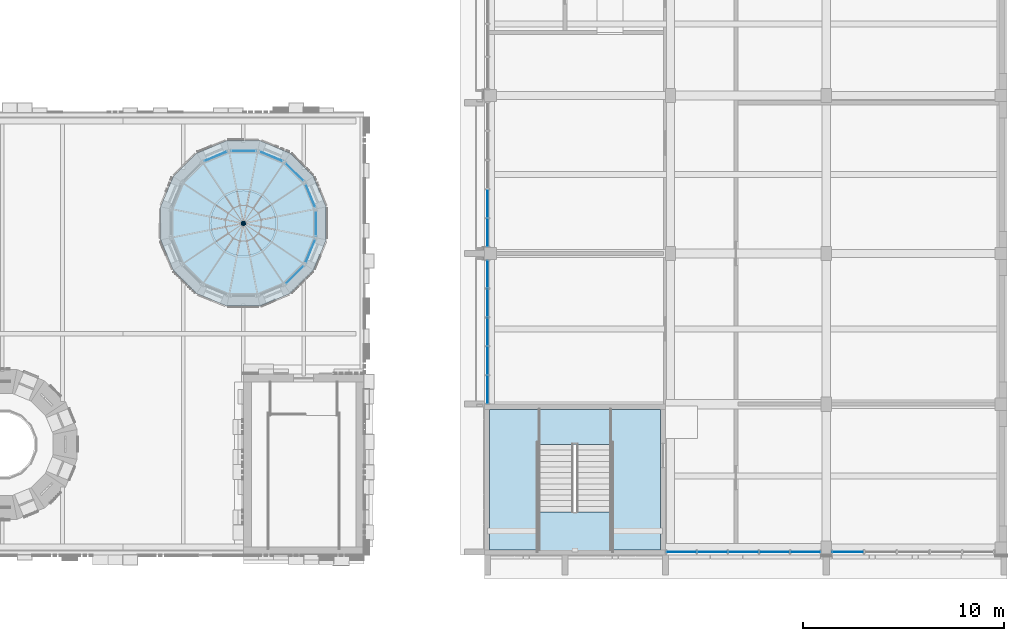
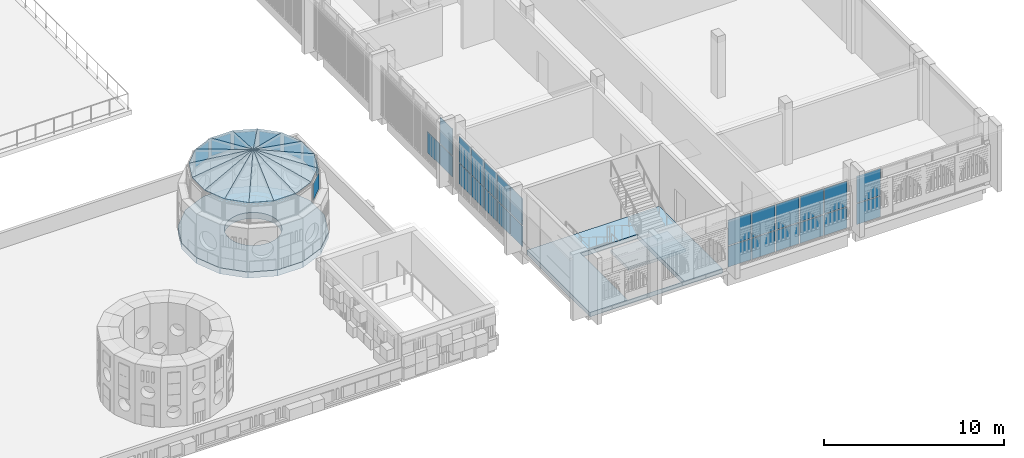
# One storey, part 46 of 98: 33 plates, 19 slabs, 13 elements without a shape of their own.
"""IFC4 building model written with IfcOpenShell, lengths in metres."""

from ifc_helpers import new_model, si_unit, direction, frame, origin, origin_2d, place, context, subcontext, project, spatial, polyline, rectangle, outline, extrude, material, layer, layer_set, type_object, element, aggregate, save


model = new_model("IFC4")

# Units and contexts
model_context = context("Model", 3, precision=1e-05, world=origin(), true_north=direction((0.0, 1.0)))
body_context = subcontext(model_context, "Body", "Model", "MODEL_VIEW")
ifc_project = project(units=[si_unit("LENGTHUNIT", "METRE"), si_unit("AREAUNIT", "SQUARE_METRE"), si_unit("VOLUMEUNIT", "CUBIC_METRE"), si_unit("PLANEANGLEUNIT", "RADIAN"), si_unit("MASSUNIT", "GRAM", prefix="KILO")], contexts=[model_context])

# Site, building, storey
site_placement = place(None, origin())
site = spatial("IfcSite", under=ifc_project, at=site_placement, CompositionType="ELEMENT")
building_placement = place(site_placement, origin())
building = spatial("IfcBuilding", under=site, at=building_placement, Name="Sun Court Science Centre", CompositionType="ELEMENT")
storey_placement = place(building_placement, frame((0.0, 0.0, 15.75)))
storey = spatial("IfcBuildingStorey", under=building, at=storey_placement, Name="L03", CompositionType="ELEMENT", Elevation=15.75)

# Curtain wall, plate
ifc_material_1 = material(Name="Aluminium EN AW-6063 T6", Category="aluminium")
curtain_wall_type_1 = type_object("IfcCurtainWallType", Name="Lantern clerestory curtain wall 1500", PredefinedType="NOTDEFINED", material=ifc_material_1)
curtain_wall_1_placement = place(storey_placement, origin())
curtain_wall_1 = element("IfcCurtainWall", 1, at=curtain_wall_1_placement, inside=storey, type_object=curtain_wall_type_1, Name="Curtain wall V2 C6 clerestory L03 01", PredefinedType="NOTDEFINED")
ifc_material_2 = material(Name="Insulated glass", Category="glass")
ifc_layer_1 = layer(ifc_material_2, 0.031982421875)
ifc_layer_set_1 = layer_set([ifc_layer_1], Name="Insulated glass")
plate_type_1 = type_object("IfcPlateType", Name="Foyer insulated glazing panel 8-16-8", PredefinedType="CURTAIN_PANEL", material=ifc_layer_set_1)
plate_1_placement = place(storey_placement, frame((69.3330078125, 23.880615234375, 3.099853515625), z_axis=(0.0, 0.0, 1.0), x_axis=(0.382683432365, -0.923879532511, 0.0)))
plate_1 = element("IfcPlate", 2, at=plate_1_placement, type_object=plate_type_1, Name="Smoke vent opening light CW4-81 panel 1", PredefinedType="CURTAIN_PANEL", context=body_context, shape_type="SweptSolid", body=[
    extrude(rectangle(XDim=1.220947265625, YDim=0.031982421875, at=origin_2d()), origin(), (0.0, 0.0, 1.0), 1.10009765625),
])
aggregate(curtain_wall_1, [plate_1])

curtain_wall_2_placement = place(storey_placement, origin())
curtain_wall_2 = element("IfcCurtainWall", 3, at=curtain_wall_2_placement, inside=storey, type_object=curtain_wall_type_1, Name="Curtain wall V2 C6 clerestory L03 02", PredefinedType="NOTDEFINED")
plate_2_placement = place(storey_placement, frame((68.551025390625, 25.051025390625, 3.099853515625), z_axis=(0.0, 0.0, 1.0), x_axis=(0.707106781187, -0.707106781187, 0.0)))
plate_2 = element("IfcPlate", 4, at=plate_2_placement, type_object=plate_type_1, Name="CW4-82 panel 1.1", PredefinedType="CURTAIN_PANEL", context=body_context, shape_type="SweptSolid", body=[
    extrude(rectangle(XDim=1.220947265625, YDim=0.031982421875, at=origin_2d()), origin(), (0.0, 0.0, 1.0), 1.10009765625),
])
aggregate(curtain_wall_2, [plate_2])

curtain_wall_3_placement = place(storey_placement, origin())
curtain_wall_3 = element("IfcCurtainWall", 5, at=curtain_wall_3_placement, inside=storey, type_object=curtain_wall_type_1, Name="Curtain wall V2 C6 clerestory L03 03", PredefinedType="NOTDEFINED")
plate_3_placement = place(storey_placement, frame((67.380615234375, 25.8330078125, 3.099853515625), z_axis=(0.0, 0.0, 1.0), x_axis=(0.923879532511, -0.382683432365, 0.0)))
plate_3 = element("IfcPlate", 6, at=plate_3_placement, type_object=plate_type_1, Name="Smoke vent opening light CW4-83 panel 1", PredefinedType="CURTAIN_PANEL", context=body_context, shape_type="SweptSolid", body=[
    extrude(rectangle(XDim=1.220947265625, YDim=0.031982421875, at=origin_2d()), origin(), (0.0, 0.0, 1.0), 1.10009765625),
])
aggregate(curtain_wall_3, [plate_3])

curtain_wall_4_placement = place(storey_placement, origin())
curtain_wall_4 = element("IfcCurtainWall", 7, at=curtain_wall_4_placement, inside=storey, type_object=curtain_wall_type_1, Name="Curtain wall V2 C6 clerestory L03 04", PredefinedType="NOTDEFINED")
plate_4_placement = place(storey_placement, frame((66.0, 26.107666015625, 3.099853515625), z_axis=(0.0, 0.0, 1.0), x_axis=(1.0, 0.0, 0.0)))
plate_4 = element("IfcPlate", 8, at=plate_4_placement, type_object=plate_type_1, Name="CW4-84 panel 1.1", PredefinedType="CURTAIN_PANEL", context=body_context, shape_type="SweptSolid", body=[
    extrude(rectangle(XDim=1.220947265625, YDim=0.031982421875, at=origin_2d()), origin(), (0.0, 0.0, 1.0), 1.10009765625),
])
aggregate(curtain_wall_4, [plate_4])

curtain_wall_5_placement = place(storey_placement, origin())
curtain_wall_5 = element("IfcCurtainWall", 9, at=curtain_wall_5_placement, inside=storey, type_object=curtain_wall_type_1, Name="Curtain wall V2 C6 clerestory L03 05", PredefinedType="NOTDEFINED")
plate_5_placement = place(storey_placement, frame((64.619384765625, 25.8330078125, 3.099853515625), z_axis=(0.0, 0.0, 1.0), x_axis=(0.923879532511, 0.382683432365, 0.0)))
plate_5 = element("IfcPlate", 10, at=plate_5_placement, type_object=plate_type_1, Name="Smoke vent opening light CW4-85 panel 1", PredefinedType="CURTAIN_PANEL", context=body_context, shape_type="SweptSolid", body=[
    extrude(rectangle(XDim=1.220947265625, YDim=0.031982421875, at=origin_2d()), origin(), (0.0, 0.0, 1.0), 1.10009765625),
])
aggregate(curtain_wall_5, [plate_5])

curtain_wall_6_placement = place(storey_placement, origin())
curtain_wall_6 = element("IfcCurtainWall", 11, at=curtain_wall_6_placement, inside=storey, type_object=curtain_wall_type_1, Name="Curtain wall V2 C6 clerestory L03 14", PredefinedType="NOTDEFINED")
plate_6_placement = place(storey_placement, frame((68.551025390625, 19.948974609375, 3.099853515625), z_axis=(0.0, 0.0, 1.0), x_axis=(-0.707106781187, -0.707106781187, 0.0)))
plate_6 = element("IfcPlate", 12, at=plate_6_placement, type_object=plate_type_1, Name="CW4-94 panel 1.1", PredefinedType="CURTAIN_PANEL", context=body_context, shape_type="SweptSolid", body=[
    extrude(rectangle(XDim=1.220947265625, YDim=0.031982421875, at=origin_2d()), origin(), (0.0, 0.0, 1.0), 1.10009765625),
])
aggregate(curtain_wall_6, [plate_6])

curtain_wall_7_placement = place(storey_placement, origin())
curtain_wall_7 = element("IfcCurtainWall", 13, at=curtain_wall_7_placement, inside=storey, type_object=curtain_wall_type_1, Name="Curtain wall V2 C6 clerestory L03 15", PredefinedType="NOTDEFINED")
plate_7_placement = place(storey_placement, frame((69.3330078125, 21.119384765625, 3.099853515625), z_axis=(0.0, 0.0, 1.0), x_axis=(-0.382683432365, -0.923879532511, 0.0)))
plate_7 = element("IfcPlate", 14, at=plate_7_placement, type_object=plate_type_1, Name="Smoke vent opening light CW4-95 panel 1", PredefinedType="CURTAIN_PANEL", context=body_context, shape_type="SweptSolid", body=[
    extrude(rectangle(XDim=1.220947265625, YDim=0.031982421875, at=origin_2d()), origin(), (0.0, 0.0, 1.0), 1.10009765625),
])
aggregate(curtain_wall_7, [plate_7])

curtain_wall_8_placement = place(storey_placement, origin())
curtain_wall_8 = element("IfcCurtainWall", 15, at=curtain_wall_8_placement, inside=storey, type_object=curtain_wall_type_1, Name="Curtain wall V2 C6 clerestory L03 16", PredefinedType="NOTDEFINED")
plate_8_placement = place(storey_placement, frame((69.607666015625, 22.5, 3.099853515625), z_axis=(0.0, 0.0, 1.0), x_axis=(0.0, -1.0, 0.0)))
plate_8 = element("IfcPlate", 16, at=plate_8_placement, type_object=plate_type_1, Name="CW4-96 panel 1.1", PredefinedType="CURTAIN_PANEL", context=body_context, shape_type="SweptSolid", body=[
    extrude(rectangle(XDim=1.220947265625, YDim=0.031982421875, at=origin_2d()), origin(), (0.0, 0.0, 1.0), 1.10009765625),
])
aggregate(curtain_wall_8, [plate_8])

# Slabs
ifc_material_3 = material(Name="Toughened safety glass", Category="glass")
ifc_layer_2 = layer(ifc_material_3, 0.06005859375)
ifc_layer_set_2 = layer_set([ifc_layer_2], Name="Toughened safety glass")
slab_type_1 = type_object("IfcSlabType", Name="Glazed lantern panel 60", PredefinedType="ROOF", material=ifc_layer_set_2)
slab_1_placement = place(storey_placement, frame((69.519287109375, 23.199951171875, 4.409423828125), z_axis=(0.27781112634, 0.11509917371, 0.953715449331), x_axis=(-0.382757337134, 0.92384891669, 0.0)))
element("IfcSlab", 17, at=slab_1_placement, inside=storey, type_object=slab_type_1, Name="Smoke vent opening light cone 6 panel 01", PredefinedType="ROOF", context=body_context, shape_type="SweptSolid", body=[
    extrude(outline(polyline([(0.0, 0.0), (1.400074198153089, 5.551115123125783e-17), (0.7003838307212055, 3.6899905864551856), (0.0, 0.0)])), origin(), (0.0, 0.0, -1.0), 0.06005859375),
])
slab_2_placement = place(storey_placement, frame((68.9833984375, 24.493408203125, 4.409423828125), z_axis=(0.212638176134, 0.212638176134, 0.95371379989), x_axis=(-0.707106781187, 0.707106781187, 0.0)))
element("IfcSlab", 18, at=slab_2_placement, inside=storey, type_object=slab_type_1, Name="Lantern glazing cone 6 panel 02", PredefinedType="ROOF", context=body_context, shape_type="SweptSolid", body=[
    extrude(outline(polyline([(0.0, 0.0), (1.4000576160700442, 0.0), (0.7000288080350219, 3.6899263957870376), (0.0, 0.0)])), origin(), (0.0, 0.0, -1.0), 0.06005859375),
])
slab_3_placement = place(storey_placement, frame((67.993408203125, 25.4833984375, 4.409423828125), z_axis=(0.11509917371, 0.27781112634, 0.953715449331), x_axis=(-0.92384891669, 0.382757337134, 0.0)))
element("IfcSlab", 19, at=slab_3_placement, inside=storey, type_object=slab_type_1, Name="Smoke vent opening light cone 6 panel 03", PredefinedType="ROOF", context=body_context, shape_type="SweptSolid", body=[
    extrude(outline(polyline([(0.0, 0.0), (1.400074198153089, -5.551115123125783e-17), (0.6996903674318837, 3.6899905864551856), (0.0, 0.0)])), origin(), (0.0, 0.0, -1.0), 0.06005859375),
])
slab_4_placement = place(storey_placement, frame((66.699951171875, 26.019287109375, 4.409423828125), z_axis=(0.0, 0.30070387127, 0.953717558716), x_axis=(-1.0, 0.0, 0.0)))
element("IfcSlab", 20, at=slab_4_placement, inside=storey, type_object=slab_type_1, Name="Lantern glazing cone 6 panel 04", PredefinedType="ROOF", context=body_context, shape_type="SweptSolid", body=[
    extrude(outline(polyline([(0.0, 0.0), (1.39990234375, 0.0), (0.699951171875, 3.690072681595094), (0.0, 0.0)])), origin(), (0.0, 0.0, -1.0), 0.06005859375),
])
slab_5_placement = place(storey_placement, frame((65.300048828125, 26.019287109375, 4.409423828125), z_axis=(-0.11509917371, 0.27781112634, 0.953715449331), x_axis=(-0.92384891669, -0.382757337134, 0.0)))
element("IfcSlab", 21, at=slab_5_placement, inside=storey, type_object=slab_type_1, Name="Smoke vent opening light cone 6 panel 05", PredefinedType="ROOF", context=body_context, shape_type="SweptSolid", body=[
    extrude(outline(polyline([(0.0, 0.0), (1.400074198153089, 5.551115123125783e-17), (0.7003838307212055, 3.6899905864551856), (0.0, 0.0)])), origin(), (0.0, 0.0, -1.0), 0.06005859375),
])
slab_6_placement = place(storey_placement, frame((64.006591796875, 25.4833984375, 4.409423828125), z_axis=(-0.212638176134, 0.212638176134, 0.95371379989), x_axis=(-0.707106781187, -0.707106781187, 0.0)))
element("IfcSlab", 22, at=slab_6_placement, inside=storey, type_object=slab_type_1, Name="Lantern glazing cone 6 panel 06", PredefinedType="ROOF", context=body_context, shape_type="SweptSolid", body=[
    extrude(outline(polyline([(0.0, 0.0), (1.4000576160700442, 0.0), (0.7000288080350219, 3.6899263957870376), (0.0, 0.0)])), origin(), (0.0, 0.0, -1.0), 0.06005859375),
])
slab_7_placement = place(storey_placement, frame((63.0166015625, 24.493408203125, 4.409423828125), z_axis=(-0.27781112634, 0.11509917371, 0.953715449331), x_axis=(-0.382757337134, -0.92384891669, 0.0)))
element("IfcSlab", 23, at=slab_7_placement, inside=storey, type_object=slab_type_1, Name="Smoke vent opening light cone 6 panel 07", PredefinedType="ROOF", context=body_context, shape_type="SweptSolid", body=[
    extrude(outline(polyline([(0.0, 0.0), (1.400074198153089, -5.551115123125783e-17), (0.6996903674318837, 3.6899905864551856), (0.0, 0.0)])), origin(), (0.0, 0.0, -1.0), 0.06005859375),
])
slab_8_placement = place(storey_placement, frame((62.480712890625, 23.199951171875, 4.409423828125), z_axis=(-0.30070387127, 0.0, 0.953717558716), x_axis=(0.0, -1.0, 0.0)))
element("IfcSlab", 24, at=slab_8_placement, inside=storey, type_object=slab_type_1, Name="Lantern glazing cone 6 panel 08", PredefinedType="ROOF", context=body_context, shape_type="SweptSolid", body=[
    extrude(outline(polyline([(0.0, 0.0), (1.39990234375, 0.0), (0.699951171875, 3.690072681595094), (0.0, 0.0)])), origin(), (0.0, 0.0, -1.0), 0.06005859375),
])
slab_9_placement = place(storey_placement, frame((62.480712890625, 21.800048828125, 4.409423828125), z_axis=(-0.27781112634, -0.11509917371, 0.953715449331), x_axis=(0.382757337134, -0.92384891669, 0.0)))
element("IfcSlab", 25, at=slab_9_placement, inside=storey, type_object=slab_type_1, Name="Smoke vent opening light cone 6 panel 09", PredefinedType="ROOF", context=body_context, shape_type="SweptSolid", body=[
    extrude(outline(polyline([(0.0, 0.0), (1.400074198153089, 5.551115123125783e-17), (0.7003838307212055, 3.6899905864551856), (0.0, 0.0)])), origin(), (0.0, 0.0, -1.0), 0.06005859375),
])
slab_10_placement = place(storey_placement, frame((63.0166015625, 20.506591796875, 4.409423828125), z_axis=(-0.212638176134, -0.212638176134, 0.95371379989), x_axis=(0.707106781187, -0.707106781187, 0.0)))
element("IfcSlab", 26, at=slab_10_placement, inside=storey, type_object=slab_type_1, Name="Lantern glazing cone 6 panel 10", PredefinedType="ROOF", context=body_context, shape_type="SweptSolid", body=[
    extrude(outline(polyline([(0.0, 0.0), (1.4000576160700442, 0.0), (0.7000288080350219, 3.6899263957870376), (0.0, 0.0)])), origin(), (0.0, 0.0, -1.0), 0.06005859375),
])
slab_11_placement = place(storey_placement, frame((64.006591796875, 19.5166015625, 4.409423828125), z_axis=(-0.11509917371, -0.27781112634, 0.953715449331), x_axis=(0.92384891669, -0.382757337134, 0.0)))
element("IfcSlab", 27, at=slab_11_placement, inside=storey, type_object=slab_type_1, Name="Smoke vent opening light cone 6 panel 11", PredefinedType="ROOF", context=body_context, shape_type="SweptSolid", body=[
    extrude(outline(polyline([(0.0, 0.0), (1.400074198153089, -5.551115123125783e-17), (0.6996903674318837, 3.6899905864551856), (0.0, 0.0)])), origin(), (0.0, 0.0, -1.0), 0.06005859375),
])
slab_12_placement = place(storey_placement, frame((65.300048828125, 18.980712890625, 4.409423828125), z_axis=(0.0, -0.30070387127, 0.953717558716), x_axis=(1.0, 0.0, 0.0)))
element("IfcSlab", 28, at=slab_12_placement, inside=storey, type_object=slab_type_1, Name="Lantern glazing cone 6 panel 12", PredefinedType="ROOF", context=body_context, shape_type="SweptSolid", body=[
    extrude(outline(polyline([(0.0, 0.0), (1.39990234375, 0.0), (0.699951171875, 3.690072681595094), (0.0, 0.0)])), origin(), (0.0, 0.0, -1.0), 0.06005859375),
])
slab_13_placement = place(storey_placement, frame((66.699951171875, 18.980712890625, 4.409423828125), z_axis=(0.11509917371, -0.27781112634, 0.953715449331), x_axis=(0.92384891669, 0.382757337134, 0.0)))
element("IfcSlab", 29, at=slab_13_placement, inside=storey, type_object=slab_type_1, Name="Smoke vent opening light cone 6 panel 13", PredefinedType="ROOF", context=body_context, shape_type="SweptSolid", body=[
    extrude(outline(polyline([(0.0, 0.0), (1.400074198153089, 5.551115123125783e-17), (0.7003838307212055, 3.6899905864551856), (0.0, 0.0)])), origin(), (0.0, 0.0, -1.0), 0.06005859375),
])
slab_14_placement = place(storey_placement, frame((67.993408203125, 19.5166015625, 4.409423828125), z_axis=(0.212638176134, -0.212638176134, 0.95371379989), x_axis=(0.707106781187, 0.707106781187, 0.0)))
element("IfcSlab", 30, at=slab_14_placement, inside=storey, type_object=slab_type_1, Name="Lantern glazing cone 6 panel 14", PredefinedType="ROOF", context=body_context, shape_type="SweptSolid", body=[
    extrude(outline(polyline([(0.0, 0.0), (1.4000576160700442, 0.0), (0.7000288080350219, 3.6899263957870376), (0.0, 0.0)])), origin(), (0.0, 0.0, -1.0), 0.06005859375),
])
slab_15_placement = place(storey_placement, frame((68.9833984375, 20.506591796875, 4.409423828125), z_axis=(0.27781112634, -0.11509917371, 0.953715449331), x_axis=(0.382757337134, 0.92384891669, 0.0)))
element("IfcSlab", 31, at=slab_15_placement, inside=storey, type_object=slab_type_1, Name="Smoke vent opening light cone 6 panel 15", PredefinedType="ROOF", context=body_context, shape_type="SweptSolid", body=[
    extrude(outline(polyline([(0.0, 0.0), (1.400074198153089, -5.551115123125783e-17), (0.6996903674318837, 3.6899905864551856), (0.0, 0.0)])), origin(), (0.0, 0.0, -1.0), 0.06005859375),
])
slab_16_placement = place(storey_placement, frame((69.519287109375, 21.800048828125, 4.409423828125), z_axis=(0.30070387127, 0.0, 0.953717558716), x_axis=(0.0, 1.0, 0.0)))
element("IfcSlab", 32, at=slab_16_placement, inside=storey, type_object=slab_type_1, Name="Lantern glazing cone 6 panel 16", PredefinedType="ROOF", context=body_context, shape_type="SweptSolid", body=[
    extrude(outline(polyline([(0.0, 0.0), (1.39990234375, 0.0), (0.699951171875, 3.690072681595094), (0.0, 0.0)])), origin(), (0.0, 0.0, -1.0), 0.06005859375),
])
ifc_material_4 = material(Name="Concrete C25/30", Category="concrete")
ifc_layer_3 = layer(ifc_material_4, 0.300048828125)
ifc_layer_set_3 = layer_set([ifc_layer_3], Name="Concrete C25/30")
slab_type_2 = type_object("IfcSlabType", Name="RC floor slab 300", PredefinedType="FLOOR", material=ifc_layer_set_3)
slab_17_placement = place(storey_placement, frame((0.0, 0.0, -0.300048828125)))
element("IfcSlab", 33, at=slab_17_placement, inside=storey, type_object=slab_type_2, Name="Stair SL1 landing slab L03", PredefinedType="FLOOR", context=body_context, shape_type="SweptSolid", body=[
    extrude(outline(polyline([(78.25, 13.25), (78.25, 6.25), (86.75, 6.25), (86.75, 13.25), (78.25, 13.25)]), holes=[polyline([(80.677001953125, 6.2548828125), (80.677001953125, 11.4970703125), (84.322998046875, 11.4970703125), (84.322998046875, 6.2548828125), (80.677001953125, 6.2548828125)])]), origin(), (0.0, 0.0, 1.0), 0.300048828125),
])
ifc_material_5 = material(Name="Concrete C25/30", Category="concrete")
ifc_layer_4 = layer(ifc_material_5, 0.409912109375)
ifc_layer_set_4 = layer_set([ifc_layer_4], Name="Concrete C25/30")
slab_type_3 = type_object("IfcSlabType", Name="RC gallery ledge slab 410", PredefinedType="FLOOR", material=ifc_layer_set_4)
slab_18_placement = place(storey_placement, frame((0.0, 0.0, -0.300048828125)))
element("IfcSlab", 34, at=slab_18_placement, inside=storey, type_object=slab_type_3, Name="Cone 6 gallery ledge", PredefinedType="FLOOR", context=body_context, shape_type="SweptSolid", body=[
    extrude(outline(polyline([(70.119384765625, 21.6806640625), (70.119384765625, 23.3193359375), (69.4921875, 24.83349609375), (68.33349609375, 25.9921875), (66.8193359375, 26.619384765625), (65.1806640625, 26.619384765625), (63.66650390625, 25.9921875), (62.5078125, 24.83349609375), (61.880615234375, 23.3193359375), (61.880615234375, 21.6806640625), (62.5078125, 20.16650390625), (63.66650390625, 19.0078125), (65.1806640625, 18.380615234375), (66.8193359375, 18.380615234375), (68.33349609375, 19.0078125), (69.4921875, 20.16650390625), (70.119384765625, 21.6806640625)]), holes=[polyline([(67.58642578125, 22.708740234375), (67.60009765625, 22.5), (67.58642578125, 22.291259765625), (67.54541015625, 22.0859375), (67.478271484375, 21.8876953125), (67.3857421875, 21.699951171875), (67.269287109375, 21.52587890625), (67.13134765625, 21.36865234375), (66.97412109375, 21.230712890625), (66.800048828125, 21.1142578125), (66.6123046875, 21.021728515625), (66.4140625, 20.95458984375), (66.208740234375, 20.91357421875), (66.0, 20.89990234375), (65.791259765625, 20.91357421875), (65.5859375, 20.95458984375), (65.3876953125, 21.021728515625), (65.199951171875, 21.1142578125), (65.02587890625, 21.230712890625), (64.86865234375, 21.36865234375), (64.730712890625, 21.52587890625), (64.6142578125, 21.699951171875), (64.521728515625, 21.8876953125), (64.45458984375, 22.0859375), (64.41357421875, 22.291259765625), (64.39990234375, 22.5), (64.41357421875, 22.708740234375), (64.45458984375, 22.9140625), (64.521728515625, 23.1123046875), (64.6142578125, 23.300048828125), (64.730712890625, 23.47412109375), (64.86865234375, 23.63134765625), (65.02587890625, 23.769287109375), (65.199951171875, 23.8857421875), (65.3876953125, 23.978271484375), (65.5859375, 24.04541015625), (65.791259765625, 24.08642578125), (66.0, 24.10009765625), (66.208740234375, 24.08642578125), (66.4140625, 24.04541015625), (66.6123046875, 23.978271484375), (66.800048828125, 23.8857421875), (66.97412109375, 23.769287109375), (67.13134765625, 23.63134765625), (67.269287109375, 23.47412109375), (67.3857421875, 23.300048828125), (67.478271484375, 23.1123046875), (67.54541015625, 22.9140625), (67.58642578125, 22.708740234375)])]), origin(), (0.0, 0.0, 1.0), 0.41015625),
])

# Curtain wall, plates
ifc_material_6 = material(Name="Aluminium EN AW-6063 T6", Category="aluminium")
curtain_wall_type_2 = type_object("IfcCurtainWallType", Name="Laboratory tall bay curtain wall 1500", PredefinedType="NOTDEFINED", material=ifc_material_6)
curtain_wall_9_placement = place(storey_placement, origin())
curtain_wall_9 = element("IfcCurtainWall", 35, at=curtain_wall_9_placement, inside=storey, type_object=curtain_wall_type_2, Name="Curtain wall V4 W L03 01", PredefinedType="NOTDEFINED")
ifc_material_7 = material(Name="Solar-control glass", Category="glass")
ifc_layer_5 = layer(ifc_material_7, 0.028076171875)
ifc_layer_set_5 = layer_set([ifc_layer_5], Name="Solar-control glass")
plate_type_2 = type_object("IfcPlateType", Name="Solar-control glazing panel 8-12-8", PredefinedType="CURTAIN_PANEL", material=ifc_layer_set_5)
plate_9_placement = place(storey_placement, frame((78.14990234375, 14.235107421875, 0.06005859375), z_axis=(0.0, 0.0, 1.0), x_axis=(0.0, 1.0, 0.0)))
plate_9 = element("IfcPlate", 36, at=plate_9_placement, type_object=plate_type_2, Name="CW2-28 panel 1.1", PredefinedType="CURTAIN_PANEL", context=body_context, shape_type="SweptSolid", body=[
    extrude(rectangle(XDim=1.35009765625, YDim=0.028076171875, at=origin_2d()), origin(), (0.0, 0.0, 1.0), 1.409912109375),
])
plate_10_placement = place(storey_placement, frame((78.14990234375, 15.659912109375, 0.06005859375), z_axis=(0.0, 0.0, 1.0), x_axis=(0.0, 1.0, 0.0)))
plate_10 = element("IfcPlate", 37, at=plate_10_placement, type_object=plate_type_2, Name="CW2-28 panel 2.1", PredefinedType="CURTAIN_PANEL", context=body_context, shape_type="SweptSolid", body=[
    extrude(rectangle(XDim=1.3798828125, YDim=0.028076171875, at=origin_2d()), origin(), (0.0, 0.0, 1.0), 1.409912109375),
])
plate_11_placement = place(storey_placement, frame((78.14990234375, 17.10009765625, 0.06005859375), z_axis=(0.0, 0.0, 1.0), x_axis=(0.0, 1.0, 0.0)))
plate_11 = element("IfcPlate", 38, at=plate_11_placement, type_object=plate_type_2, Name="CW2-28 panel 3.1", PredefinedType="CURTAIN_PANEL", context=body_context, shape_type="SweptSolid", body=[
    extrude(rectangle(XDim=1.3798828125, YDim=0.028076171875, at=origin_2d()), origin(), (0.0, 0.0, 1.0), 1.409912109375),
])
plate_12_placement = place(storey_placement, frame((78.14990234375, 18.5400390625, 0.06005859375), z_axis=(0.0, 0.0, 1.0), x_axis=(0.0, 1.0, 0.0)))
plate_12 = element("IfcPlate", 39, at=plate_12_placement, type_object=plate_type_2, Name="CW2-28 panel 4.1", PredefinedType="CURTAIN_PANEL", context=body_context, shape_type="SweptSolid", body=[
    extrude(rectangle(XDim=1.3798828125, YDim=0.028076171875, at=origin_2d()), origin(), (0.0, 0.0, 1.0), 1.409912109375),
])
plate_13_placement = place(storey_placement, frame((78.14990234375, 19.965087890625, 0.06005859375), z_axis=(0.0, 0.0, 1.0), x_axis=(0.0, 1.0, 0.0)))
plate_13 = element("IfcPlate", 40, at=plate_13_placement, type_object=plate_type_2, Name="CW2-28 panel 5.1", PredefinedType="CURTAIN_PANEL", context=body_context, shape_type="SweptSolid", body=[
    extrude(rectangle(XDim=1.35009765625, YDim=0.028076171875, at=origin_2d()), origin(), (0.0, 0.0, 1.0), 1.409912109375),
])
plate_14_placement = place(storey_placement, frame((78.14990234375, 14.235107421875, 1.530029296875), z_axis=(0.0, 0.0, 1.0), x_axis=(0.0, 1.0, 0.0)))
plate_14 = element("IfcPlate", 41, at=plate_14_placement, type_object=plate_type_2, Name="CW2-28 panel 1.2", PredefinedType="CURTAIN_PANEL", context=body_context, shape_type="SweptSolid", body=[
    extrude(rectangle(XDim=1.35009765625, YDim=0.028076171875, at=origin_2d()), origin(), (0.0, 0.0, 1.0), 1.7900390625),
])
plate_15_placement = place(storey_placement, frame((78.14990234375, 15.659912109375, 1.530029296875), z_axis=(0.0, 0.0, 1.0), x_axis=(0.0, 1.0, 0.0)))
plate_15 = element("IfcPlate", 42, at=plate_15_placement, type_object=plate_type_2, Name="CW2-28 panel 2.2", PredefinedType="CURTAIN_PANEL", context=body_context, shape_type="SweptSolid", body=[
    extrude(rectangle(XDim=1.3798828125, YDim=0.028076171875, at=origin_2d()), origin(), (0.0, 0.0, 1.0), 1.7900390625),
])
plate_16_placement = place(storey_placement, frame((78.14990234375, 17.10009765625, 1.530029296875), z_axis=(0.0, 0.0, 1.0), x_axis=(0.0, 1.0, 0.0)))
plate_16 = element("IfcPlate", 43, at=plate_16_placement, type_object=plate_type_2, Name="CW2-28 panel 3.2", PredefinedType="CURTAIN_PANEL", context=body_context, shape_type="SweptSolid", body=[
    extrude(rectangle(XDim=1.3798828125, YDim=0.028076171875, at=origin_2d()), origin(), (0.0, 0.0, 1.0), 1.7900390625),
])
plate_17_placement = place(storey_placement, frame((78.14990234375, 18.5400390625, 1.530029296875), z_axis=(0.0, 0.0, 1.0), x_axis=(0.0, 1.0, 0.0)))
plate_17 = element("IfcPlate", 44, at=plate_17_placement, type_object=plate_type_2, Name="CW2-28 panel 4.2", PredefinedType="CURTAIN_PANEL", context=body_context, shape_type="SweptSolid", body=[
    extrude(rectangle(XDim=1.3798828125, YDim=0.028076171875, at=origin_2d()), origin(), (0.0, 0.0, 1.0), 1.7900390625),
])
plate_18_placement = place(storey_placement, frame((78.14990234375, 19.965087890625, 1.530029296875), z_axis=(0.0, 0.0, 1.0), x_axis=(0.0, 1.0, 0.0)))
plate_18 = element("IfcPlate", 45, at=plate_18_placement, type_object=plate_type_2, Name="CW2-28 panel 5.2", PredefinedType="CURTAIN_PANEL", context=body_context, shape_type="SweptSolid", body=[
    extrude(rectangle(XDim=1.35009765625, YDim=0.028076171875, at=origin_2d()), origin(), (0.0, 0.0, 1.0), 1.7900390625),
])
aggregate(curtain_wall_9, [plate_9, plate_10, plate_11, plate_12, plate_13, plate_14, plate_15, plate_16, plate_17, plate_18])

curtain_wall_10_placement = place(storey_placement, origin())
curtain_wall_10 = element("IfcCurtainWall", 46, at=curtain_wall_10_placement, inside=storey, type_object=curtain_wall_type_2, Name="Curtain wall V4 W L03 02", PredefinedType="NOTDEFINED")
plate_19_placement = place(storey_placement, frame((78.14990234375, 22.0400390625, 0.06005859375), z_axis=(0.0, 0.0, 1.0), x_axis=(0.0, 1.0, 0.0)))
plate_19 = element("IfcPlate", 47, at=plate_19_placement, type_object=plate_type_2, Name="CW2-29 panel 1.1", PredefinedType="CURTAIN_PANEL", context=body_context, shape_type="SweptSolid", body=[
    extrude(rectangle(XDim=1.360107421875, YDim=0.028076171875, at=origin_2d()), origin(), (0.0, 0.0, 1.0), 1.409912109375),
])
plate_20_placement = place(storey_placement, frame((78.14990234375, 23.47509765625, 0.06005859375), z_axis=(0.0, 0.0, 1.0), x_axis=(0.0, 1.0, 0.0)))
plate_20 = element("IfcPlate", 48, at=plate_20_placement, type_object=plate_type_2, Name="CW2-29 panel 2.1", PredefinedType="CURTAIN_PANEL", context=body_context, shape_type="SweptSolid", body=[
    extrude(rectangle(XDim=1.389892578125, YDim=0.028076171875, at=origin_2d()), origin(), (0.0, 0.0, 1.0), 1.409912109375),
])
plate_21_placement = place(storey_placement, frame((78.14990234375, 22.0400390625, 1.530029296875), z_axis=(0.0, 0.0, 1.0), x_axis=(0.0, 1.0, 0.0)))
plate_21 = element("IfcPlate", 49, at=plate_21_placement, type_object=plate_type_2, Name="CW2-29 panel 1.2", PredefinedType="CURTAIN_PANEL", context=body_context, shape_type="SweptSolid", body=[
    extrude(rectangle(XDim=1.360107421875, YDim=0.028076171875, at=origin_2d()), origin(), (0.0, 0.0, 1.0), 1.81005859375),
])
aggregate(curtain_wall_10, [plate_19, plate_20, plate_21])

curtain_wall_11_placement = place(storey_placement, origin())
curtain_wall_11 = element("IfcCurtainWall", 50, at=curtain_wall_11_placement, inside=storey, type_object=curtain_wall_type_2, Name="Curtain wall V4 S L03 01", PredefinedType="NOTDEFINED")
plate_22_placement = place(storey_placement, frame((96.080078125, 6.14990234375, 0.06005859375), z_axis=(0.0, 0.0, 1.0), x_axis=(-1.0, 0.0, 0.0)))
plate_22 = element("IfcPlate", 51, at=plate_22_placement, type_object=plate_type_2, Name="CW2-53 panel 5.1", PredefinedType="CURTAIN_PANEL", context=body_context, shape_type="SweptSolid", body=[
    extrude(rectangle(XDim=1.5400390625, YDim=0.028076171875, at=origin_2d()), origin(), (0.0, 0.0, 1.0), 1.409912109375),
])
plate_23_placement = place(storey_placement, frame((96.080078125, 6.14990234375, 1.530029296875), z_axis=(0.0, 0.0, 1.0), x_axis=(-1.0, 0.0, 0.0)))
plate_23 = element("IfcPlate", 52, at=plate_23_placement, type_object=plate_type_2, Name="CW2-53 panel 5.2", PredefinedType="CURTAIN_PANEL", context=body_context, shape_type="SweptSolid", body=[
    extrude(rectangle(XDim=1.5400390625, YDim=0.028076171875, at=origin_2d()), origin(), (0.0, 0.0, 1.0), 1.81005859375),
])
aggregate(curtain_wall_11, [plate_22, plate_23])

curtain_wall_12_placement = place(storey_placement, origin())
curtain_wall_12 = element("IfcCurtainWall", 53, at=curtain_wall_12_placement, inside=storey, type_object=curtain_wall_type_2, Name="Curtain wall V4 S L03 02", PredefinedType="NOTDEFINED")
plate_24_placement = place(storey_placement, frame((87.7900390625, 6.14990234375, 0.06005859375), z_axis=(0.0, 0.0, 1.0), x_axis=(-1.0, 0.0, 0.0)))
plate_24 = element("IfcPlate", 54, at=plate_24_placement, type_object=plate_type_2, Name="CW2-54 panel 5.1", PredefinedType="CURTAIN_PANEL", context=body_context, shape_type="SweptSolid", body=[
    extrude(rectangle(XDim=1.4599609375, YDim=0.028076171875, at=origin_2d()), origin(), (0.0, 0.0, 1.0), 1.409912109375),
])
plate_25_placement = place(storey_placement, frame((89.324951171875, 6.14990234375, 0.06005859375), z_axis=(0.0, 0.0, 1.0), x_axis=(-1.0, 0.0, 0.0)))
plate_25 = element("IfcPlate", 55, at=plate_25_placement, type_object=plate_type_2, Name="CW2-54 panel 4.1", PredefinedType="CURTAIN_PANEL", context=body_context, shape_type="SweptSolid", body=[
    extrude(rectangle(XDim=1.489990234375, YDim=0.028076171875, at=origin_2d()), origin(), (0.0, 0.0, 1.0), 1.409912109375),
])
plate_26_placement = place(storey_placement, frame((90.875, 6.14990234375, 0.06005859375), z_axis=(0.0, 0.0, 1.0), x_axis=(-1.0, 0.0, 0.0)))
plate_26 = element("IfcPlate", 56, at=plate_26_placement, type_object=plate_type_2, Name="CW2-54 panel 3.1", PredefinedType="CURTAIN_PANEL", context=body_context, shape_type="SweptSolid", body=[
    extrude(rectangle(XDim=1.489990234375, YDim=0.028076171875, at=origin_2d()), origin(), (0.0, 0.0, 1.0), 1.409912109375),
])
plate_27_placement = place(storey_placement, frame((92.425048828125, 6.14990234375, 0.06005859375), z_axis=(0.0, 0.0, 1.0), x_axis=(-1.0, 0.0, 0.0)))
plate_27 = element("IfcPlate", 57, at=plate_27_placement, type_object=plate_type_2, Name="CW2-54 panel 2.1", PredefinedType="CURTAIN_PANEL", context=body_context, shape_type="SweptSolid", body=[
    extrude(rectangle(XDim=1.489990234375, YDim=0.028076171875, at=origin_2d()), origin(), (0.0, 0.0, 1.0), 1.409912109375),
])
plate_28_placement = place(storey_placement, frame((93.9599609375, 6.14990234375, 0.06005859375), z_axis=(0.0, 0.0, 1.0), x_axis=(-1.0, 0.0, 0.0)))
plate_28 = element("IfcPlate", 58, at=plate_28_placement, type_object=plate_type_2, Name="CW2-54 panel 1.1", PredefinedType="CURTAIN_PANEL", context=body_context, shape_type="SweptSolid", body=[
    extrude(rectangle(XDim=1.4599609375, YDim=0.028076171875, at=origin_2d()), origin(), (0.0, 0.0, 1.0), 1.409912109375),
])
plate_29_placement = place(storey_placement, frame((87.7900390625, 6.14990234375, 1.530029296875), z_axis=(0.0, 0.0, 1.0), x_axis=(-1.0, 0.0, 0.0)))
plate_29 = element("IfcPlate", 59, at=plate_29_placement, type_object=plate_type_2, Name="CW2-54 panel 5.2", PredefinedType="CURTAIN_PANEL", context=body_context, shape_type="SweptSolid", body=[
    extrude(rectangle(XDim=1.4599609375, YDim=0.028076171875, at=origin_2d()), origin(), (0.0, 0.0, 1.0), 1.7099609375),
])
plate_30_placement = place(storey_placement, frame((89.324951171875, 6.14990234375, 1.530029296875), z_axis=(0.0, 0.0, 1.0), x_axis=(-1.0, 0.0, 0.0)))
plate_30 = element("IfcPlate", 60, at=plate_30_placement, type_object=plate_type_2, Name="CW2-54 panel 4.2", PredefinedType="CURTAIN_PANEL", context=body_context, shape_type="SweptSolid", body=[
    extrude(rectangle(XDim=1.489990234375, YDim=0.028076171875, at=origin_2d()), origin(), (0.0, 0.0, 1.0), 1.7099609375),
])
plate_31_placement = place(storey_placement, frame((90.875, 6.14990234375, 1.530029296875), z_axis=(0.0, 0.0, 1.0), x_axis=(-1.0, 0.0, 0.0)))
plate_31 = element("IfcPlate", 61, at=plate_31_placement, type_object=plate_type_2, Name="CW2-54 panel 3.2", PredefinedType="CURTAIN_PANEL", context=body_context, shape_type="SweptSolid", body=[
    extrude(rectangle(XDim=1.489990234375, YDim=0.028076171875, at=origin_2d()), origin(), (0.0, 0.0, 1.0), 1.7099609375),
])
plate_32_placement = place(storey_placement, frame((92.425048828125, 6.14990234375, 1.530029296875), z_axis=(0.0, 0.0, 1.0), x_axis=(-1.0, 0.0, 0.0)))
plate_32 = element("IfcPlate", 62, at=plate_32_placement, type_object=plate_type_2, Name="CW2-54 panel 2.2", PredefinedType="CURTAIN_PANEL", context=body_context, shape_type="SweptSolid", body=[
    extrude(rectangle(XDim=1.489990234375, YDim=0.028076171875, at=origin_2d()), origin(), (0.0, 0.0, 1.0), 1.7099609375),
])
plate_33_placement = place(storey_placement, frame((93.9599609375, 6.14990234375, 1.530029296875), z_axis=(0.0, 0.0, 1.0), x_axis=(-1.0, 0.0, 0.0)))
plate_33 = element("IfcPlate", 63, at=plate_33_placement, type_object=plate_type_2, Name="CW2-54 panel 1.2", PredefinedType="CURTAIN_PANEL", context=body_context, shape_type="SweptSolid", body=[
    extrude(rectangle(XDim=1.4599609375, YDim=0.028076171875, at=origin_2d()), origin(), (0.0, 0.0, 1.0), 1.7099609375),
])
aggregate(curtain_wall_12, [plate_24, plate_25, plate_26, plate_27, plate_28, plate_29, plate_30, plate_31, plate_32, plate_33])

# Stair, slab
ifc_material_8 = material(Name="Concrete C25/30", Category="concrete")
stair_type = type_object("IfcStairType", Name="Stair 1500 enclosed half-turn", PredefinedType="HALF_TURN_STAIR", material=ifc_material_8)
stair_placement = place(storey_placement, origin())
stair = element("IfcStair", 64, at=stair_placement, inside=storey, type_object=stair_type, Name="L03 Stair SL1", PredefinedType="HALF_TURN_STAIR")
ifc_material_9 = material(Name="Concrete C25/30", Category="concrete")
ifc_layer_6 = layer(ifc_material_9, 0.199951171875)
ifc_layer_set_6 = layer_set([ifc_layer_6], Name="Concrete C25/30")
slab_type_4 = type_object("IfcSlabType", Name="Stair landing 200", PredefinedType="LANDING", material=ifc_layer_set_6)
slab_19_placement = place(storey_placement, frame((0.0, 0.0, 2.050048828125)))
slab_19 = element("IfcSlab", 65, at=slab_19_placement, type_object=slab_type_4, Name="SL1 landing 1", PredefinedType="LANDING", context=body_context, shape_type="SweptSolid", body=[
    extrude(outline(polyline([(80.677001953125, 8.14599609375), (80.677001953125, 6.14990234375), (84.322998046875, 6.14990234375), (84.322998046875, 8.14599609375), (80.677001953125, 8.14599609375)])), origin(), (0.0, 0.0, 1.0), 0.199951171875),
])
aggregate(stair, [slab_19])

save(model, "model.ifc")
